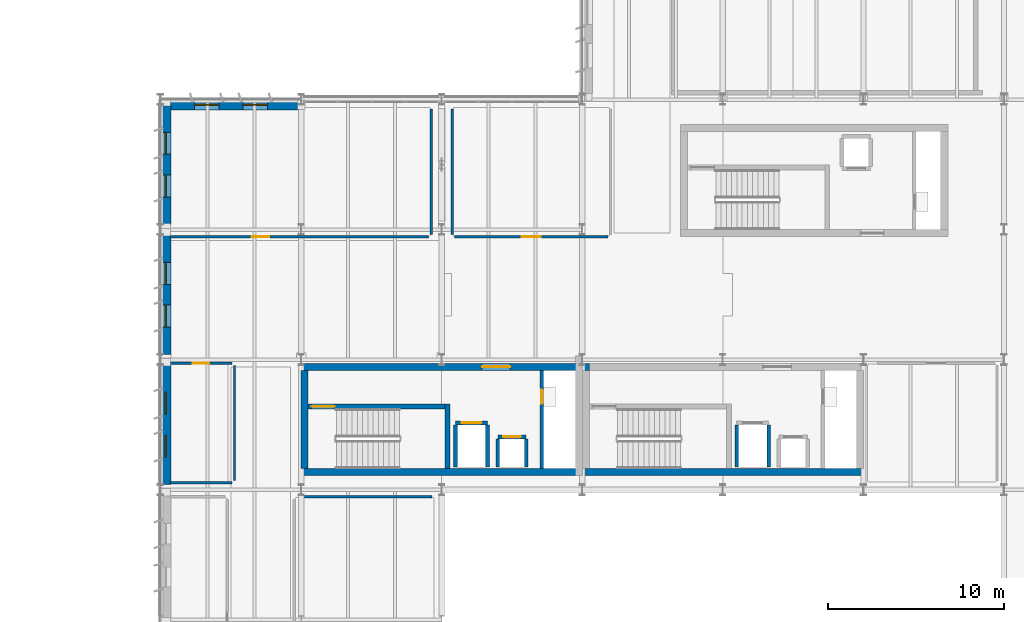
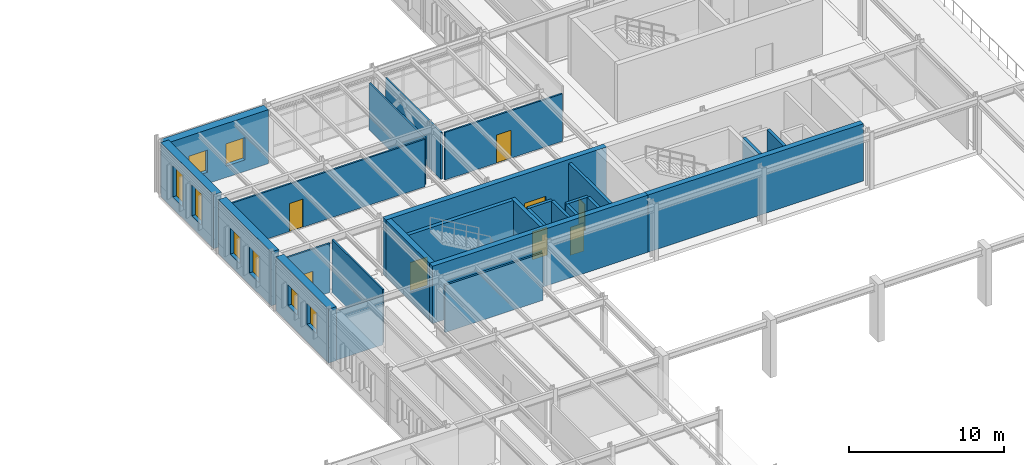
# One storey, part 42 of 75: 27 walls, 8 doors, 8 windows, 16 openings.
"""IFC4 building model written with IfcOpenShell, lengths in metres."""

from ifc_helpers import new_model, si_unit, direction, frame, frame_2d, origin, place, context, subcontext, project, spatial, rectangle, extrude, material, layer, layer_set, type_object, element, fill, save


model = new_model("IFC4")

# Units and contexts
model_context = context("Model", 3, precision=1e-05, world=origin(), true_north=direction((0.0, 1.0)))
body_context = subcontext(model_context, "Body", "Model", "MODEL_VIEW")
ifc_project = project(units=[si_unit("LENGTHUNIT", "METRE"), si_unit("AREAUNIT", "SQUARE_METRE"), si_unit("VOLUMEUNIT", "CUBIC_METRE"), si_unit("PLANEANGLEUNIT", "RADIAN"), si_unit("MASSUNIT", "GRAM", prefix="KILO")], contexts=[model_context])

# Site, building, storey
site_placement = place(None, origin())
site = spatial("IfcSite", under=ifc_project, at=site_placement, CompositionType="ELEMENT")
building_placement = place(site_placement, origin())
building = spatial("IfcBuilding", under=site, at=building_placement, Name="Valkorina Park Police Headquarters", CompositionType="ELEMENT")
storey_placement = place(building_placement, frame((0.0, 0.0, 5.39990234375)))
storey = spatial("IfcBuildingStorey", under=building, at=storey_placement, Name="L02", CompositionType="ELEMENT", Elevation=5.39990234375)

# Wall
ifc_material_1 = material(Name="Acoustic mineral board")
ifc_layer_1 = layer(ifc_material_1, 0.14990234375)
ifc_layer_set_1 = layer_set([ifc_layer_1], Name="Acoustic mineral board")
wall_type_1 = type_object("IfcWallType", Name="WL-ACOUST-150-EI30", PredefinedType="PARTITIONING", material=ifc_layer_set_1)
wall_1_placement = place(storey_placement, frame((16.989990234375, 36.60009765625, 0.0), z_axis=(0.0, 0.0, 1.0), x_axis=(1.0, 0.0, 0.0)))
element("IfcWall", 1, at=wall_1_placement, inside=storey, type_object=wall_type_1, Name="L02 Interior Partition 0117 (L02-PUB-04)", PredefinedType="PARTITIONING", context=body_context, shape_type="SweptSolid", body=[
    extrude(rectangle(XDim=7.27001953125, YDim=0.14990234375, at=frame_2d((3.635009765625, 0.0))), origin(), (0.0, 0.0, 1.0), 3.710205078125),
])

# Wall, opening, door
ifc_material_2 = material(Name="Autoclaved aerated concrete masonry", Category="masonry")
ifc_layer_2 = layer(ifc_material_2, 0.219970703125)
ifc_layer_set_2 = layer_set([ifc_layer_2], Name="Autoclaved aerated concrete masonry")
wall_type_2 = type_object("IfcWallType", Name="WL-CHASE-220-EI60", PredefinedType="PLUMBINGWALL", material=ifc_layer_set_2)
wall_2_placement = place(storey_placement, frame((25.590087890625, 40.81005859375, 0.0), z_axis=(0.0, 0.0, 1.0), x_axis=(1.0, 0.0, 0.0)))
wall_2 = element("IfcWall", 2, at=wall_2_placement, inside=storey, type_object=wall_type_2, Name="Lift LF-01 L02 Shaft Front Wall", PredefinedType="PLUMBINGWALL", context=body_context, shape_type="SweptSolid", body=[
    extrude(rectangle(XDim=1.81982421875, YDim=0.219970703125, at=frame_2d((0.909912109375, 0.0))), origin(), (0.0, 0.0, 1.0), 4.2001953125),
])
opening_1_placement = place(wall_2_placement, frame((0.360107421875, 0.0, 0.0)))
opening_1 = element("IfcOpeningElement", 3, at=opening_1_placement, cuts=wall_2, Name="Opening LD-01", PredefinedType="OPENING", context=body_context, shape_type="SweptSolid", body=[
    extrude(rectangle(XDim=1.10009765625, YDim=2.199951171875, at=frame_2d((0.550048828125, 1.10009765625))), frame((0.0, 0.1201171875, 0.0), z_axis=(0.0, -1.0, 0.0), x_axis=(1.0, 0.0, 0.0)), (0.0, 0.0, 1.0), 0.239990234375),
])
ifc_material_3 = material(Name="Stainless steel EN 1.4404", Category="steel")
ifc_layer_3 = layer(ifc_material_3, 0.050048828125)
ifc_layer_set_3 = layer_set([ifc_layer_3], Name="Stainless steel EN 1.4404")
door_type_1 = type_object("IfcDoorType", Name="DR-LIFT-FF-1100x2200", OperationType="NOTDEFINED", PredefinedType="DOOR", material=ifc_layer_set_3)
door_1_placement = place(opening_1_placement, origin())
door_1 = element("IfcDoor", 4, at=door_1_placement, inside=storey, type_object=door_type_1, Name="Lift Landing Door LF-01-L02", OperationType="DOUBLE_DOOR_SLIDING", OverallHeight=2.199951171875, OverallWidth=1.10009765625, PredefinedType="DOOR", context=body_context, shape_type="SweptSolid", body=[
    extrude(rectangle(XDim=1.10009765625, YDim=2.199951171875, at=frame_2d((0.550048828125, 1.10009765625))), frame((0.0, 0.02490234375, 0.0), z_axis=(0.0, -1.0, 0.0), x_axis=(1.0, 0.0, 0.0)), (0.0, 0.0, 1.0), 0.050048828125),
])
fill(opening_1, door_1)

# Walls
for number, where, z_axis, x_axis, name in (
    (5, (25.590087890625, 38.300048828125, 0.0), (0.0, 0.0, 1.0), (0.0, 1.0, 0.0), "Lift LF-01 L02 Shaft Side Wall W"),
    (6, (27.409912109375, 38.300048828125, 0.0), (0.0, 0.0, 1.0), (0.0, 1.0, 0.0), "Lift LF-01 L02 Shaft Side Wall E"),
):
    element("IfcWall", number, at=place(storey_placement, frame(where, z_axis=z_axis, x_axis=x_axis)), inside=storey, type_object=wall_type_2, Name=name, PredefinedType="PLUMBINGWALL", context=body_context, shape_type="SweptSolid", body=[
        extrude(rectangle(XDim=2.39990234375, YDim=0.219970703125, at=frame_2d((1.199951171875, 0.0))), origin(), (0.0, 0.0, 1.0), 4.2001953125),
    ])

# Wall, opening, door
wall_3_placement = place(storey_placement, frame((27.989990234375, 40.010009765625, 0.0), z_axis=(0.0, 0.0, 1.0), x_axis=(1.0, 0.0, 0.0)))
wall_3 = element("IfcWall", 7, at=wall_3_placement, inside=storey, type_object=wall_type_2, Name="Lift LF-03 L02 Shaft Front Wall", PredefinedType="PLUMBINGWALL", context=body_context, shape_type="SweptSolid", body=[
    extrude(rectangle(XDim=1.6201171875, YDim=0.219970703125, at=frame_2d((0.81005859375, 0.0))), origin(), (0.0, 0.0, 1.0), 4.2001953125),
])
opening_2_placement = place(wall_3_placement, frame((0.31005859375, 0.0, 0.0)))
opening_2 = element("IfcOpeningElement", 8, at=opening_2_placement, cuts=wall_3, Name="Opening LD-02", PredefinedType="OPENING", context=body_context, shape_type="SweptSolid", body=[
    extrude(rectangle(XDim=1.0, YDim=2.199951171875, at=frame_2d((0.5, 1.10009765625))), frame((0.0, 0.1201171875, 0.0), z_axis=(0.0, -1.0, 0.0), x_axis=(1.0, 0.0, 0.0)), (0.0, 0.0, 1.0), 0.239990234375),
])
ifc_layer_4 = layer(ifc_material_3, 0.050048828125)
ifc_layer_set_4 = layer_set([ifc_layer_4], Name="Stainless steel EN 1.4404")
door_type_2 = type_object("IfcDoorType", Name="DR-LIFT-PAX-1000x2200", OperationType="NOTDEFINED", PredefinedType="DOOR", material=ifc_layer_set_4)
door_2_placement = place(opening_2_placement, origin())
door_2 = element("IfcDoor", 9, at=door_2_placement, inside=storey, type_object=door_type_2, Name="Lift Landing Door LF-03-L02", OperationType="DOUBLE_DOOR_SLIDING", OverallHeight=2.199951171875, OverallWidth=1.0, PredefinedType="DOOR", context=body_context, shape_type="SweptSolid", body=[
    extrude(rectangle(XDim=1.0, YDim=2.199951171875, at=frame_2d((0.5, 1.10009765625))), frame((0.0, 0.02490234375, 0.0), z_axis=(0.0, -1.0, 0.0), x_axis=(1.0, 0.0, 0.0)), (0.0, 0.0, 1.0), 0.050048828125),
])
fill(opening_2, door_2)

# Walls
for number, where, z_axis, x_axis, name in (
    (10, (27.989990234375, 38.300048828125, 0.0), (0.0, 0.0, 1.0), (0.0, 1.0, 0.0), "Lift LF-03 L02 Shaft Side Wall W"),
    (11, (29.610107421875, 38.300048828125, 0.0), (0.0, 0.0, 1.0), (0.0, 1.0, 0.0), "Lift LF-03 L02 Shaft Side Wall E"),
):
    element("IfcWall", number, at=place(storey_placement, frame(where, z_axis=z_axis, x_axis=x_axis)), inside=storey, type_object=wall_type_2, Name=name, PredefinedType="PLUMBINGWALL", context=body_context, shape_type="SweptSolid", body=[
        extrude(rectangle(XDim=1.599853515625, YDim=0.219970703125, at=frame_2d((0.7998046875, 0.0))), origin(), (0.0, 0.0, 1.0), 4.2001953125),
    ])

# Wall, opening, door
wall_4_placement = place(storey_placement, frame((30.489990234375, 38.199951171875, 0.0), z_axis=(0.0, 0.0, 1.0), x_axis=(0.0, 1.0, 0.0)))
wall_4 = element("IfcWall", 12, at=wall_4_placement, inside=storey, type_object=wall_type_2, Name="Core C1 L02 Riser Shaft West Wall", PredefinedType="PLUMBINGWALL", context=body_context, shape_type="SweptSolid", body=[
    extrude(rectangle(XDim=5.60009765625, YDim=0.219970703125, at=frame_2d((2.800048828125, 0.0))), origin(), (0.0, 0.0, 1.0), 4.2001953125),
])
opening_3_placement = place(wall_4_placement, frame((3.699951171875, 0.0, 0.0)))
opening_3 = element("IfcOpeningElement", 13, at=opening_3_placement, cuts=wall_4, Name="Opening ID-01", PredefinedType="OPENING", context=body_context, shape_type="SweptSolid", body=[
    extrude(rectangle(XDim=0.800048828125, YDim=2.10009765625, at=frame_2d((0.39990234375, 1.050048828125))), frame((0.0, 0.1201171875, 0.0), z_axis=(0.0, -1.0, 0.0), x_axis=(1.0, 0.0, 0.0)), (0.0, 0.0, 1.0), 0.239990234375),
])
ifc_material_4 = material(Name="Galvanized steel door leaf", Category="steel")
ifc_layer_5 = layer(ifc_material_4, 0.050048828125)
ifc_layer_set_5 = layer_set([ifc_layer_5], Name="Galvanized steel door leaf")
door_type_3 = type_object("IfcDoorType", Name="DR-INT-RISER-800x2100", OperationType="NOTDEFINED", PredefinedType="DOOR", material=ifc_layer_set_5)
door_3_placement = place(opening_3_placement, origin())
door_3 = element("IfcDoor", 14, at=door_3_placement, inside=storey, type_object=door_type_3, Name="Riser Shaft Access Door C1-L02", OperationType="SINGLE_SWING_LEFT", OverallHeight=2.10009765625, OverallWidth=0.800048828125, PredefinedType="DOOR", context=body_context, shape_type="SweptSolid", body=[
    extrude(rectangle(XDim=0.800048828125, YDim=2.10009765625, at=frame_2d((0.39990234375, 1.050048828125))), frame((0.0, 0.02490234375, 0.0), z_axis=(0.0, -1.0, 0.0), x_axis=(1.0, 0.0, 0.0)), (0.0, 0.0, 1.0), 0.050048828125),
])
fill(opening_3, door_3)

# Walls
for number, where, z_axis, x_axis, name in (
    (15, (41.590087890625, 38.300048828125, 0.0), (0.0, 0.0, 1.0), (0.0, 1.0, 0.0), "Lift LF-02 L02 Shaft Side Wall W"),
    (16, (43.409912109375, 38.300048828125, 0.0), (0.0, 0.0, 1.0), (0.0, 1.0, 0.0), "Lift LF-02 L02 Shaft Side Wall E"),
):
    element("IfcWall", number, at=place(storey_placement, frame(where, z_axis=z_axis, x_axis=x_axis)), inside=storey, type_object=wall_type_2, Name=name, PredefinedType="PLUMBINGWALL", context=body_context, shape_type="SweptSolid", body=[
        extrude(rectangle(XDim=2.39990234375, YDim=0.219970703125, at=frame_2d((1.199951171875, 0.0))), origin(), (0.0, 0.0, 1.0), 4.2001953125),
    ])
ifc_material_5 = material(Name="Concrete C40/50", Category="concrete")
ifc_layer_6 = layer(ifc_material_5, 0.39990234375)
ifc_layer_set_6 = layer_set([ifc_layer_6], Name="Concrete C40/50")
wall_type_3 = type_object("IfcWallType", Name="WL-CORE-400-REI180", PredefinedType="SHEAR", material=ifc_layer_set_6)
wall_5_placement = place(storey_placement, frame((16.800048828125, 38.0, 0.0), z_axis=(0.0, 0.0, 1.0), x_axis=(1.0, 0.0, 0.0)))
element("IfcWall", 17, at=wall_5_placement, inside=storey, type_object=wall_type_3, Name="Core C1 L02 Shear Wall S", PredefinedType="SHEAR", context=body_context, shape_type="SweptSolid", body=[
    extrude(rectangle(XDim=16.39990234375, YDim=0.39990234375, at=frame_2d((8.199951171875, 0.0))), origin(), (0.0, 0.0, 1.0), 4.4951171875),
])

# Wall, opening, door
wall_6_placement = place(storey_placement, frame((16.800048828125, 44.0, 0.0), z_axis=(0.0, 0.0, 1.0), x_axis=(1.0, 0.0, 0.0)))
wall_6 = element("IfcWall", 18, at=wall_6_placement, inside=storey, type_object=wall_type_3, Name="Core C1 L02 Shear Wall N", PredefinedType="SHEAR", context=body_context, shape_type="SweptSolid", body=[
    extrude(rectangle(XDim=16.39990234375, YDim=0.39990234375, at=frame_2d((8.199951171875, 0.0))), origin(), (0.0, 0.0, 1.0), 4.4951171875),
])
opening_4_placement = place(wall_6_placement, frame((10.300048828125, 0.0, 0.0)))
opening_4 = element("IfcOpeningElement", 19, at=opening_4_placement, cuts=wall_6, Name="Opening FD-04", PredefinedType="OPENING", context=body_context, shape_type="SweptSolid", body=[
    extrude(rectangle(XDim=1.60009765625, YDim=2.199951171875, at=frame_2d((0.800048828125, 1.10009765625))), frame((0.0, 0.2099609375, 0.0), z_axis=(0.0, -1.0, 0.0), x_axis=(1.0, 0.0, 0.0)), (0.0, 0.0, 1.0), 0.419921875),
])
ifc_layer_7 = layer(ifc_material_4, 0.050048828125)
ifc_layer_set_7 = layer_set([ifc_layer_7], Name="Galvanized steel door leaf")
door_type_4 = type_object("IfcDoorType", Name="DR-FIRE-FFL-1600x2200", OperationType="NOTDEFINED", PredefinedType="DOOR", material=ifc_layer_set_7)
door_4_placement = place(opening_4_placement, origin())
door_4 = element("IfcDoor", 20, at=door_4_placement, inside=storey, type_object=door_type_4, Name="Door D-L02-FFL-C1 (Firefighting Lift Lobby Door)", OperationType="DOUBLE_DOOR_SINGLE_SWING", OverallHeight=2.199951171875, OverallWidth=1.60009765625, PredefinedType="DOOR", context=body_context, shape_type="SweptSolid", body=[
    extrude(rectangle(XDim=1.60009765625, YDim=2.199951171875, at=frame_2d((0.800048828125, 1.10009765625))), frame((0.0, 0.02490234375, 0.0), z_axis=(0.0, -1.0, 0.0), x_axis=(1.0, 0.0, 0.0)), (0.0, 0.0, 1.0), 0.050048828125),
])
fill(opening_4, door_4)

# Walls
wall_7_placement = place(storey_placement, frame((17.0, 38.199951171875, 0.0), z_axis=(0.0, 0.0, 1.0), x_axis=(0.0, 1.0, 0.0)))
element("IfcWall", 21, at=wall_7_placement, inside=storey, type_object=wall_type_3, Name="Core C1 L02 Shear Wall W", PredefinedType="SHEAR", context=body_context, shape_type="SweptSolid", body=[
    extrude(rectangle(XDim=5.60009765625, YDim=0.39990234375, at=frame_2d((2.800048828125, 0.0))), origin(), (0.0, 0.0, 1.0), 4.4951171875),
])
wall_8_placement = place(storey_placement, frame((32.800048828125, 38.0, 0.0), z_axis=(0.0, 0.0, 1.0), x_axis=(1.0, 0.0, 0.0)))
element("IfcWall", 22, at=wall_8_placement, inside=storey, type_object=wall_type_3, Name="Core C2 L02 Shear Wall S", PredefinedType="SHEAR", context=body_context, shape_type="SweptSolid", body=[
    extrude(rectangle(XDim=16.0, YDim=0.39990234375, at=frame_2d((8.0, 0.0))), origin(), (0.0, 0.0, 1.0), 4.4951171875),
])

# Wall, openings, windows
ifc_material_6 = material(Name="Concrete C35/45", Category="concrete")
ifc_layer_8 = layer(ifc_material_6, 0.580078125)
ifc_layer_set_8 = layer_set([ifc_layer_8], Name="Concrete C35/45")
wall_type_4 = type_object("IfcWallType", Name="WL-EXT-BOARD-580", PredefinedType="STANDARD", material=ifc_layer_set_8)
wall_9_placement = place(storey_placement, frame((9.090087890625, 37.31005859375, 0.0), z_axis=(0.0, 0.0, 1.0), x_axis=(0.0, 1.0, 0.0)))
wall_9 = element("IfcWall", 23, at=wall_9_placement, inside=storey, type_object=wall_type_4, Name="L02 Architectural Concrete Exterior Wall 0109", PredefinedType="STANDARD", context=body_context, shape_type="SweptSolid", body=[
    extrude(rectangle(XDim=6.780029296875, YDim=0.580078125, at=frame_2d((3.39013671875, 0.0))), origin(), (0.0, 0.0, 1.0), 4.239990234375),
])
opening_5_placement = place(wall_9_placement, frame((1.544677734375, 0.0, 1.35009765625)))
opening_5 = element("IfcOpeningElement", 24, at=opening_5_placement, cuts=wall_9, Name="Opening WN-21", PredefinedType="OPENING", context=body_context, shape_type="SweptSolid", body=[
    extrude(rectangle(XDim=1.25, YDim=1.64990234375, at=frame_2d((0.625, 0.824951171875))), frame((0.0, 0.300048828125, 0.0), z_axis=(0.0, -1.0, 0.0), x_axis=(1.0, 0.0, 0.0)), (0.0, 0.0, 1.0), 0.60009765625),
])
opening_6_placement = place(wall_9_placement, frame((3.9853515625, 0.0, 1.35009765625)))
opening_6 = element("IfcOpeningElement", 25, at=opening_6_placement, cuts=wall_9, Name="Opening WN-21", PredefinedType="OPENING", context=body_context, shape_type="SweptSolid", body=[
    extrude(rectangle(XDim=1.25, YDim=1.64990234375, at=frame_2d((0.625, 0.824951171875))), frame((0.0, 0.300048828125, 0.0), z_axis=(0.0, -1.0, 0.0), x_axis=(1.0, 0.0, 0.0)), (0.0, 0.0, 1.0), 0.60009765625),
])
ifc_material_7 = material(Name="Triple low-E insulated glazing", Category="glass")
ifc_layer_9 = layer(ifc_material_7, 0.06005859375)
ifc_layer_set_9 = layer_set([ifc_layer_9], Name="Triple low-E insulated glazing")
window_type_1 = type_object("IfcWindowType", Name="WN-LAB-1250x1650", PartitioningType="SINGLE_PANEL", PredefinedType="WINDOW", material=ifc_layer_set_9)
window_1_placement = place(opening_5_placement, origin())
window_1 = element("IfcWindow", 26, at=window_1_placement, inside=storey, type_object=window_type_1, Name="Window L02-0170", OverallHeight=1.64990234375, OverallWidth=1.25, PartitioningType="SINGLE_PANEL", PredefinedType="WINDOW", context=body_context, shape_type="SweptSolid", body=[
    extrude(rectangle(XDim=1.25, YDim=1.64990234375, at=frame_2d((0.625, 0.824951171875))), frame((0.0, 0.030029296875, 0.0), z_axis=(0.0, -1.0, 0.0), x_axis=(1.0, 0.0, 0.0)), (0.0, 0.0, 1.0), 0.06005859375),
])
fill(opening_5, window_1)
window_2_placement = place(opening_6_placement, origin())
window_2 = element("IfcWindow", 27, at=window_2_placement, inside=storey, type_object=window_type_1, Name="Window L02-0171", OverallHeight=1.64990234375, OverallWidth=1.25, PartitioningType="SINGLE_PANEL", PredefinedType="WINDOW", context=body_context, shape_type="SweptSolid", body=[
    extrude(rectangle(XDim=1.25, YDim=1.64990234375, at=frame_2d((0.625, 0.824951171875))), frame((0.0, 0.030029296875, 0.0), z_axis=(0.0, -1.0, 0.0), x_axis=(1.0, 0.0, 0.0)), (0.0, 0.0, 1.0), 0.06005859375),
])
fill(opening_6, window_2)

wall_10_placement = place(storey_placement, frame((9.090087890625, 44.7099609375, 0.0), z_axis=(0.0, 0.0, 1.0), x_axis=(0.0, 1.0, 0.0)))
wall_10 = element("IfcWall", 28, at=wall_10_placement, inside=storey, type_object=wall_type_4, Name="L02 Architectural Concrete Exterior Wall 0110", PredefinedType="STANDARD", context=body_context, shape_type="SweptSolid", body=[
    extrude(rectangle(XDim=6.780029296875, YDim=0.580078125, at=frame_2d((3.39013671875, 0.0))), origin(), (0.0, 0.0, 1.0), 4.239990234375),
])
opening_7_placement = place(wall_10_placement, frame((1.544677734375, 0.0, 0.89990234375)))
opening_7 = element("IfcOpeningElement", 29, at=opening_7_placement, cuts=wall_10, Name="Opening WN-22", PredefinedType="OPENING", context=body_context, shape_type="SweptSolid", body=[
    extrude(rectangle(XDim=1.25, YDim=2.050048828125, at=frame_2d((0.625, 1.02490234375))), frame((0.0, 0.300048828125, 0.0), z_axis=(0.0, -1.0, 0.0), x_axis=(1.0, 0.0, 0.0)), (0.0, 0.0, 1.0), 0.60009765625),
])
opening_8_placement = place(wall_10_placement, frame((3.9853515625, 0.0, 0.89990234375)))
opening_8 = element("IfcOpeningElement", 30, at=opening_8_placement, cuts=wall_10, Name="Opening WN-22", PredefinedType="OPENING", context=body_context, shape_type="SweptSolid", body=[
    extrude(rectangle(XDim=1.25, YDim=2.050048828125, at=frame_2d((0.625, 1.02490234375))), frame((0.0, 0.300048828125, 0.0), z_axis=(0.0, -1.0, 0.0), x_axis=(1.0, 0.0, 0.0)), (0.0, 0.0, 1.0), 0.60009765625),
])
ifc_layer_10 = layer(ifc_material_7, 0.06005859375)
ifc_layer_set_10 = layer_set([ifc_layer_10], Name="Triple low-E insulated glazing")
window_type_2 = type_object("IfcWindowType", Name="WN-LAB-1250x2050", PartitioningType="SINGLE_PANEL", PredefinedType="WINDOW", material=ifc_layer_set_10)
window_3_placement = place(opening_7_placement, origin())
window_3 = element("IfcWindow", 31, at=window_3_placement, inside=storey, type_object=window_type_2, Name="Window L02-0172", OverallHeight=2.050048828125, OverallWidth=1.25, PartitioningType="SINGLE_PANEL", PredefinedType="WINDOW", context=body_context, shape_type="SweptSolid", body=[
    extrude(rectangle(XDim=1.25, YDim=2.050048828125, at=frame_2d((0.625, 1.02490234375))), frame((0.0, 0.030029296875, 0.0), z_axis=(0.0, -1.0, 0.0), x_axis=(1.0, 0.0, 0.0)), (0.0, 0.0, 1.0), 0.06005859375),
])
fill(opening_7, window_3)
window_4_placement = place(opening_8_placement, origin())
window_4 = element("IfcWindow", 32, at=window_4_placement, inside=storey, type_object=window_type_2, Name="Window L02-0173", OverallHeight=2.050048828125, OverallWidth=1.25, PartitioningType="SINGLE_PANEL", PredefinedType="WINDOW", context=body_context, shape_type="SweptSolid", body=[
    extrude(rectangle(XDim=1.25, YDim=2.050048828125, at=frame_2d((0.625, 1.02490234375))), frame((0.0, 0.030029296875, 0.0), z_axis=(0.0, -1.0, 0.0), x_axis=(1.0, 0.0, 0.0)), (0.0, 0.0, 1.0), 0.06005859375),
])
fill(opening_8, window_4)

wall_11_placement = place(storey_placement, frame((9.090087890625, 52.110107421875, 0.0), z_axis=(0.0, 0.0, 1.0), x_axis=(0.0, 1.0, 0.0)))
wall_11 = element("IfcWall", 33, at=wall_11_placement, inside=storey, type_object=wall_type_4, Name="L02 Architectural Concrete Exterior Wall 0111", PredefinedType="STANDARD", context=body_context, shape_type="SweptSolid", body=[
    extrude(rectangle(XDim=6.77978515625, YDim=0.580078125, at=frame_2d((3.389892578125, 0.0))), origin(), (0.0, 0.0, 1.0), 4.239990234375),
])
opening_9_placement = place(wall_11_placement, frame((1.544677734375, 0.0, 0.89990234375)))
opening_9 = element("IfcOpeningElement", 34, at=opening_9_placement, cuts=wall_11, Name="Opening WN-23", PredefinedType="OPENING", context=body_context, shape_type="SweptSolid", body=[
    extrude(rectangle(XDim=1.25, YDim=2.449951171875, at=frame_2d((0.625, 1.22509765625))), frame((0.0, 0.300048828125, 0.0), z_axis=(0.0, -1.0, 0.0), x_axis=(1.0, 0.0, 0.0)), (0.0, 0.0, 1.0), 0.60009765625),
])
opening_10_placement = place(wall_11_placement, frame((3.9853515625, 0.0, 0.89990234375)))
opening_10 = element("IfcOpeningElement", 35, at=opening_10_placement, cuts=wall_11, Name="Opening WN-23", PredefinedType="OPENING", context=body_context, shape_type="SweptSolid", body=[
    extrude(rectangle(XDim=1.25, YDim=2.449951171875, at=frame_2d((0.625, 1.22509765625))), frame((0.0, 0.300048828125, 0.0), z_axis=(0.0, -1.0, 0.0), x_axis=(1.0, 0.0, 0.0)), (0.0, 0.0, 1.0), 0.60009765625),
])
ifc_layer_11 = layer(ifc_material_7, 0.06005859375)
ifc_layer_set_11 = layer_set([ifc_layer_11], Name="Triple low-E insulated glazing")
window_type_3 = type_object("IfcWindowType", Name="WN-LAB-1250x2450", PartitioningType="SINGLE_PANEL", PredefinedType="WINDOW", material=ifc_layer_set_11)
window_5_placement = place(opening_9_placement, origin())
window_5 = element("IfcWindow", 36, at=window_5_placement, inside=storey, type_object=window_type_3, Name="Window L02-0174", OverallHeight=2.449951171875, OverallWidth=1.25, PartitioningType="SINGLE_PANEL", PredefinedType="WINDOW", context=body_context, shape_type="SweptSolid", body=[
    extrude(rectangle(XDim=1.25, YDim=2.449951171875, at=frame_2d((0.625, 1.22509765625))), frame((0.0, 0.030029296875, 0.0), z_axis=(0.0, -1.0, 0.0), x_axis=(1.0, 0.0, 0.0)), (0.0, 0.0, 1.0), 0.06005859375),
])
fill(opening_9, window_5)
window_6_placement = place(opening_10_placement, origin())
window_6 = element("IfcWindow", 37, at=window_6_placement, inside=storey, type_object=window_type_3, Name="Window L02-0175", OverallHeight=2.449951171875, OverallWidth=1.25, PartitioningType="SINGLE_PANEL", PredefinedType="WINDOW", context=body_context, shape_type="SweptSolid", body=[
    extrude(rectangle(XDim=1.25, YDim=2.449951171875, at=frame_2d((0.625, 1.22509765625))), frame((0.0, 0.030029296875, 0.0), z_axis=(0.0, -1.0, 0.0), x_axis=(1.0, 0.0, 0.0)), (0.0, 0.0, 1.0), 0.06005859375),
])
fill(opening_10, window_6)

wall_12_placement = place(storey_placement, frame((8.9599609375, 58.909912109375, 0.0), z_axis=(0.0, 0.0, 1.0), x_axis=(1.0, 0.0, 0.0)))
wall_12 = element("IfcWall", 38, at=wall_12_placement, inside=storey, type_object=wall_type_4, Name="L02 Architectural Concrete Exterior Wall 0112", PredefinedType="STANDARD", context=body_context, shape_type="SweptSolid", body=[
    extrude(rectangle(XDim=7.679931640625, YDim=0.580078125, at=frame_2d((3.83984375, 0.0))), origin(), (0.0, 0.0, 1.0), 4.239990234375),
])
opening_11_placement = place(wall_12_placement, frame((1.757568359375, 0.0, 0.89990234375)))
opening_11 = element("IfcOpeningElement", 39, at=opening_11_placement, cuts=wall_12, Name="Opening WN-24", PredefinedType="OPENING", context=body_context, shape_type="SweptSolid", body=[
    extrude(rectangle(XDim=1.39990234375, YDim=1.75, at=frame_2d((0.699951171875, 0.875))), frame((0.0, 0.300048828125, 0.0), z_axis=(0.0, -1.0, 0.0), x_axis=(1.0, 0.0, 0.0)), (0.0, 0.0, 1.0), 0.60009765625),
])
opening_12_placement = place(wall_12_placement, frame((4.5224609375, 0.0, 0.89990234375)))
opening_12 = element("IfcOpeningElement", 40, at=opening_12_placement, cuts=wall_12, Name="Opening WN-24", PredefinedType="OPENING", context=body_context, shape_type="SweptSolid", body=[
    extrude(rectangle(XDim=1.39990234375, YDim=1.75, at=frame_2d((0.699951171875, 0.875))), frame((0.0, 0.300048828125, 0.0), z_axis=(0.0, -1.0, 0.0), x_axis=(1.0, 0.0, 0.0)), (0.0, 0.0, 1.0), 0.60009765625),
])
ifc_layer_12 = layer(ifc_material_7, 0.06005859375)
ifc_layer_set_12 = layer_set([ifc_layer_12], Name="Triple low-E insulated glazing")
window_type_4 = type_object("IfcWindowType", Name="WN-LAB-1400x1750", PartitioningType="SINGLE_PANEL", PredefinedType="WINDOW", material=ifc_layer_set_12)
window_7_placement = place(opening_11_placement, origin())
window_7 = element("IfcWindow", 41, at=window_7_placement, inside=storey, type_object=window_type_4, Name="Window L02-0176", OverallHeight=1.75, OverallWidth=1.39990234375, PartitioningType="SINGLE_PANEL", PredefinedType="WINDOW", context=body_context, shape_type="SweptSolid", body=[
    extrude(rectangle(XDim=1.39990234375, YDim=1.75, at=frame_2d((0.699951171875, 0.875))), frame((0.0, 0.030029296875, 0.0), z_axis=(0.0, -1.0, 0.0), x_axis=(1.0, 0.0, 0.0)), (0.0, 0.0, 1.0), 0.06005859375),
])
fill(opening_11, window_7)
window_8_placement = place(opening_12_placement, origin())
window_8 = element("IfcWindow", 42, at=window_8_placement, inside=storey, type_object=window_type_4, Name="Window L02-0177", OverallHeight=1.75, OverallWidth=1.39990234375, PartitioningType="SINGLE_PANEL", PredefinedType="WINDOW", context=body_context, shape_type="SweptSolid", body=[
    extrude(rectangle(XDim=1.39990234375, YDim=1.75, at=frame_2d((0.699951171875, 0.875))), frame((0.0, 0.030029296875, 0.0), z_axis=(0.0, -1.0, 0.0), x_axis=(1.0, 0.0, 0.0)), (0.0, 0.0, 1.0), 0.06005859375),
])
fill(opening_12, window_8)

# Wall, opening, door
ifc_material_8 = material(Name="Gypsum plasterboard")
ifc_layer_13 = layer(ifc_material_8, 0.125)
ifc_layer_set_13 = layer_set([ifc_layer_13], Name="Gypsum plasterboard")
wall_type_5 = type_object("IfcWallType", Name="WL-PART-125-EI30", PredefinedType="PARTITIONING", material=ifc_layer_set_13)
wall_13_placement = place(storey_placement, frame((9.340087890625, 51.39990234375, 0.0), z_axis=(0.0, 0.0, 1.0), x_axis=(1.0, 0.0, 0.0)))
wall_13 = element("IfcWall", 43, at=wall_13_placement, inside=storey, type_object=wall_type_5, Name="L02 Interior Partition 0119 (L02-OPS-01)", PredefinedType="PARTITIONING", context=body_context, shape_type="SweptSolid", body=[
    extrude(rectangle(XDim=14.719970703125, YDim=0.125, at=frame_2d((7.35986328125, 0.0))), origin(), (0.0, 0.0, 1.0), 3.72998046875),
])
opening_13_placement = place(wall_13_placement, frame((4.652099609375, 0.0, 0.0)))
opening_13 = element("IfcOpeningElement", 44, at=opening_13_placement, cuts=wall_13, Name="Opening ID-04", PredefinedType="OPENING", context=body_context, shape_type="SweptSolid", body=[
    extrude(rectangle(XDim=1.0, YDim=2.199951171875, at=frame_2d((0.5, 1.10009765625))), frame((0.0, 0.072509765625, 0.0), z_axis=(0.0, -1.0, 0.0), x_axis=(1.0, 0.0, 0.0)), (0.0, 0.0, 1.0), 0.14501953125),
])
ifc_material_9 = material(Name="Thermally broken aluminium AW-6060", Category="aluminium")
ifc_layer_14 = layer(ifc_material_9, 0.050048828125)
ifc_layer_set_14 = layer_set([ifc_layer_14], Name="Thermally broken aluminium AW-6060")
door_type_5 = type_object("IfcDoorType", Name="DR-INT-OFF-1000x2200", OperationType="NOTDEFINED", PredefinedType="DOOR", material=ifc_layer_set_14)
door_5_placement = place(opening_13_placement, origin())
door_5 = element("IfcDoor", 45, at=door_5_placement, inside=storey, type_object=door_type_5, Name="Door D-L02-I055 (L02-OPS-01)", OperationType="SINGLE_SWING_RIGHT", OverallHeight=2.199951171875, OverallWidth=1.0, PredefinedType="DOOR", context=body_context, shape_type="SweptSolid", body=[
    extrude(rectangle(XDim=1.0, YDim=2.199951171875, at=frame_2d((0.5, 1.10009765625))), frame((0.0, 0.02490234375, 0.0), z_axis=(0.0, -1.0, 0.0), x_axis=(1.0, 0.0, 0.0)), (0.0, 0.0, 1.0), 0.050048828125),
])
fill(opening_13, door_5)

# Wall
wall_14_placement = place(storey_placement, frame((24.199951171875, 51.5400390625, 0.0), z_axis=(0.0, 0.0, 1.0), x_axis=(0.0, 1.0, 0.0)))
element("IfcWall", 46, at=wall_14_placement, inside=storey, type_object=wall_type_5, Name="L02 Interior Partition 0120 (L02-OPS-01)", PredefinedType="PARTITIONING", context=body_context, shape_type="SweptSolid", body=[
    extrude(rectangle(XDim=7.119873046875, YDim=0.125, at=frame_2d((3.56005859375, 0.0))), origin(), (0.0, 0.0, 1.0), 3.670166015625),
])

# Wall, opening, door
wall_15_placement = place(storey_placement, frame((25.5400390625, 51.39990234375, 0.0), z_axis=(0.0, 0.0, 1.0), x_axis=(1.0, 0.0, 0.0)))
wall_15 = element("IfcWall", 47, at=wall_15_placement, inside=storey, type_object=wall_type_5, Name="L02 Interior Partition 0121 (L02-OPS-02)", PredefinedType="PARTITIONING", context=body_context, shape_type="SweptSolid", body=[
    extrude(rectangle(XDim=8.719970703125, YDim=0.125, at=frame_2d((4.35986328125, 0.0))), origin(), (0.0, 0.0, 1.0), 3.72998046875),
])
opening_14_placement = place(wall_15_placement, frame((3.81005859375, 0.0, 0.0)))
opening_14 = element("IfcOpeningElement", 48, at=opening_14_placement, cuts=wall_15, Name="Opening ID-05", PredefinedType="OPENING", context=body_context, shape_type="SweptSolid", body=[
    extrude(rectangle(XDim=1.10009765625, YDim=2.199951171875, at=frame_2d((0.550048828125, 1.10009765625))), frame((0.0, 0.072509765625, 0.0), z_axis=(0.0, -1.0, 0.0), x_axis=(1.0, 0.0, 0.0)), (0.0, 0.0, 1.0), 0.14501953125),
])
ifc_layer_15 = layer(ifc_material_9, 0.050048828125)
ifc_layer_set_15 = layer_set([ifc_layer_15], Name="Thermally broken aluminium AW-6060")
door_type_6 = type_object("IfcDoorType", Name="DR-INT-INV-1100x2200", OperationType="NOTDEFINED", PredefinedType="DOOR", material=ifc_layer_set_15)
door_6_placement = place(opening_14_placement, origin())
door_6 = element("IfcDoor", 49, at=door_6_placement, inside=storey, type_object=door_type_6, Name="Door D-L02-I056 (L02-OPS-02)", OperationType="SINGLE_SWING_LEFT", OverallHeight=2.199951171875, OverallWidth=1.10009765625, PredefinedType="DOOR", context=body_context, shape_type="SweptSolid", body=[
    extrude(rectangle(XDim=1.10009765625, YDim=2.199951171875, at=frame_2d((0.550048828125, 1.10009765625))), frame((0.0, 0.02490234375, 0.0), z_axis=(0.0, -1.0, 0.0), x_axis=(1.0, 0.0, 0.0)), (0.0, 0.0, 1.0), 0.050048828125),
])
fill(opening_14, door_6)

# Walls
wall_16_placement = place(storey_placement, frame((25.39990234375, 51.5400390625, 0.0), z_axis=(0.0, 0.0, 1.0), x_axis=(0.0, 1.0, 0.0)))
element("IfcWall", 50, at=wall_16_placement, inside=storey, type_object=wall_type_5, Name="L02 Interior Partition 0122 (L02-OPS-02)", PredefinedType="PARTITIONING", context=body_context, shape_type="SweptSolid", body=[
    extrude(rectangle(XDim=7.119873046875, YDim=0.125, at=frame_2d((3.56005859375, 0.0))), origin(), (0.0, 0.0, 1.0), 3.670166015625),
])
wall_17_placement = place(storey_placement, frame((9.340087890625, 37.39990234375, 0.0), z_axis=(0.0, 0.0, 1.0), x_axis=(1.0, 0.0, 0.0)))
element("IfcWall", 51, at=wall_17_placement, inside=storey, type_object=wall_type_5, Name="L02 Interior Partition 0124 (L02-WC-M)", PredefinedType="PARTITIONING", context=body_context, shape_type="SweptSolid", body=[
    extrude(rectangle(XDim=3.52001953125, YDim=0.125, at=frame_2d((1.760009765625, 0.0))), origin(), (0.0, 0.0, 1.0), 3.840087890625),
])

# Wall, opening, door
wall_18_placement = place(storey_placement, frame((9.340087890625, 44.199951171875, 0.0), z_axis=(0.0, 0.0, 1.0), x_axis=(1.0, 0.0, 0.0)))
wall_18 = element("IfcWall", 52, at=wall_18_placement, inside=storey, type_object=wall_type_5, Name="L02 Interior Partition 0125 (L02-WC-M)", PredefinedType="PARTITIONING", context=body_context, shape_type="SweptSolid", body=[
    extrude(rectangle(XDim=3.52001953125, YDim=0.125, at=frame_2d((1.760009765625, 0.0))), origin(), (0.0, 0.0, 1.0), 3.840087890625),
])
opening_15_placement = place(wall_18_placement, frame((1.284912109375, 0.0, 0.0)))
opening_15 = element("IfcOpeningElement", 53, at=opening_15_placement, cuts=wall_18, Name="Opening ID-02", PredefinedType="OPENING", context=body_context, shape_type="SweptSolid", body=[
    extrude(rectangle(XDim=0.949951171875, YDim=2.10009765625, at=frame_2d((0.47509765625, 1.050048828125))), frame((0.0, 0.072509765625, 0.0), z_axis=(0.0, -1.0, 0.0), x_axis=(1.0, 0.0, 0.0)), (0.0, 0.0, 1.0), 0.14501953125),
])
ifc_layer_16 = layer(ifc_material_9, 0.050048828125)
ifc_layer_set_16 = layer_set([ifc_layer_16], Name="Thermally broken aluminium AW-6060")
door_type_7 = type_object("IfcDoorType", Name="DR-INT-WC-950x2100", OperationType="NOTDEFINED", PredefinedType="DOOR", material=ifc_layer_set_16)
door_7_placement = place(opening_15_placement, origin())
door_7 = element("IfcDoor", 54, at=door_7_placement, inside=storey, type_object=door_type_7, Name="Door D-L02-I057 (L02-WC-M)", OperationType="SINGLE_SWING_RIGHT", OverallHeight=2.10009765625, OverallWidth=0.949951171875, PredefinedType="DOOR", context=body_context, shape_type="SweptSolid", body=[
    extrude(rectangle(XDim=0.949951171875, YDim=2.10009765625, at=frame_2d((0.47509765625, 1.050048828125))), frame((0.0, 0.02490234375, 0.0), z_axis=(0.0, -1.0, 0.0), x_axis=(1.0, 0.0, 0.0)), (0.0, 0.0, 1.0), 0.050048828125),
])
fill(opening_15, door_7)

# Walls
wall_19_placement = place(storey_placement, frame((13.0, 37.5400390625, 0.0), z_axis=(0.0, 0.0, 1.0), x_axis=(0.0, 1.0, 0.0)))
element("IfcWall", 55, at=wall_19_placement, inside=storey, type_object=wall_type_5, Name="L02 Interior Partition 0126 (L02-WC-M)", PredefinedType="PARTITIONING", context=body_context, shape_type="SweptSolid", body=[
    extrude(rectangle(XDim=6.52001953125, YDim=0.125, at=frame_2d((3.260009765625, 0.0))), origin(), (0.0, 0.0, 1.0), 4.170166015625),
])
ifc_layer_17 = layer(ifc_material_5, 0.280029296875)
ifc_layer_set_17 = layer_set([ifc_layer_17], Name="Concrete C40/50")
wall_type_6 = type_object("IfcWallType", Name="WL-STAIR-280-REI120", PredefinedType="SHEAR", material=ifc_layer_set_17)
wall_20_placement = place(storey_placement, frame((25.139892578125, 38.199951171875, 0.0), z_axis=(0.0, 0.0, 1.0), x_axis=(0.0, 1.0, 0.0)))
element("IfcWall", 56, at=wall_20_placement, inside=storey, type_object=wall_type_6, Name="Core C1 L02 Shear Wall DIV", PredefinedType="SHEAR", context=body_context, shape_type="SweptSolid", body=[
    extrude(rectangle(XDim=3.679931640625, YDim=0.280029296875, at=frame_2d((1.83984375, 0.0))), origin(), (0.0, 0.0, 1.0), 4.4951171875),
])

# Wall, opening, door
wall_21_placement = place(storey_placement, frame((17.199951171875, 41.739990234375, 0.0), z_axis=(0.0, 0.0, 1.0), x_axis=(1.0, 0.0, 0.0)))
wall_21 = element("IfcWall", 57, at=wall_21_placement, inside=storey, type_object=wall_type_6, Name="Core C1 L02 Shear Wall SIDE", PredefinedType="SHEAR", context=body_context, shape_type="SweptSolid", body=[
    extrude(rectangle(XDim=7.800048828125, YDim=0.280029296875, at=frame_2d((3.89990234375, 0.0))), origin(), (0.0, 0.0, 1.0), 4.4951171875),
])
opening_16_placement = place(wall_21_placement, frame((0.199951171875, 0.0, 0.0)))
opening_16 = element("IfcOpeningElement", 58, at=opening_16_placement, cuts=wall_21, Name="Opening FD-03", PredefinedType="OPENING", context=body_context, shape_type="SweptSolid", body=[
    extrude(rectangle(XDim=1.300048828125, YDim=2.199951171875, at=frame_2d((0.64990234375, 1.10009765625))), frame((0.0, 0.14990234375, 0.0), z_axis=(0.0, -1.0, 0.0), x_axis=(1.0, 0.0, 0.0)), (0.0, 0.0, 1.0), 0.300048828125),
])
ifc_layer_18 = layer(ifc_material_4, 0.050048828125)
ifc_layer_set_18 = layer_set([ifc_layer_18], Name="Galvanized steel door leaf")
door_type_8 = type_object("IfcDoorType", Name="DR-FIRE-STAIR-1300x2200", OperationType="NOTDEFINED", PredefinedType="DOOR", material=ifc_layer_set_18)
door_8_placement = place(opening_16_placement, origin())
door_8 = element("IfcDoor", 59, at=door_8_placement, inside=storey, type_object=door_type_8, Name="Door D-L02-C011 (ST-01 Stair Fire Door)", OperationType="SINGLE_SWING_RIGHT", OverallHeight=2.199951171875, OverallWidth=1.300048828125, PredefinedType="DOOR", context=body_context, shape_type="SweptSolid", body=[
    extrude(rectangle(XDim=1.300048828125, YDim=2.199951171875, at=frame_2d((0.64990234375, 1.10009765625))), frame((0.0, 0.02490234375, 0.0), z_axis=(0.0, -1.0, 0.0), x_axis=(1.0, 0.0, 0.0)), (0.0, 0.0, 1.0), 0.050048828125),
])
fill(opening_16, door_8)

save(model, "model.ifc")
